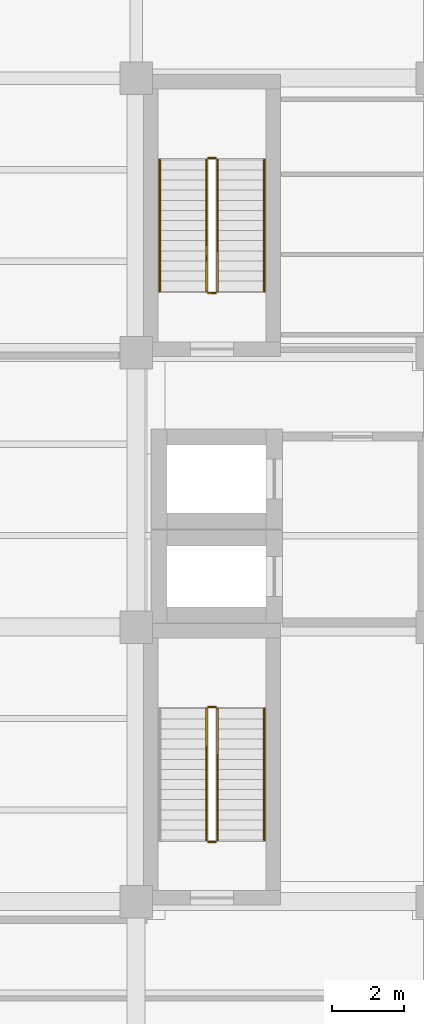
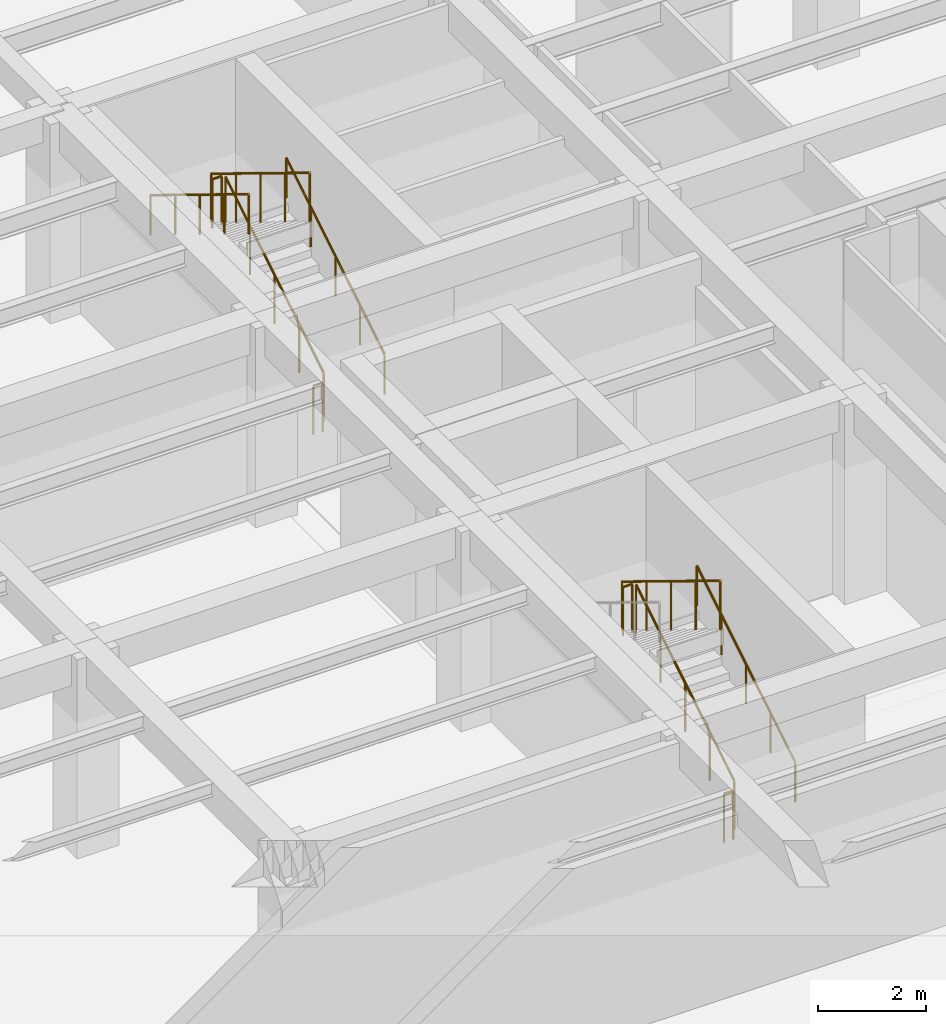
# One storey, part 47 of 49: 11 railings.
"""IFC4 building model written with IfcOpenShell, lengths in metres."""

from ifc_helpers import new_model, si_unit, direction, frame, origin, origin_2d, place, context, subcontext, project, spatial, circle, extrude, material, type_object, element, save


model = new_model("IFC4")

# Units and contexts
model_context = context("Model", 3, precision=1e-05, world=origin(), true_north=direction((0.0, 1.0)))
body_context = subcontext(model_context, "Body", "Model", "MODEL_VIEW")
ifc_project = project(units=[si_unit("LENGTHUNIT", "METRE"), si_unit("AREAUNIT", "SQUARE_METRE"), si_unit("VOLUMEUNIT", "CUBIC_METRE"), si_unit("PLANEANGLEUNIT", "RADIAN"), si_unit("MASSUNIT", "GRAM", prefix="KILO")], contexts=[model_context])

# Site, building, storey
site_placement = place(None, origin())
site = spatial("IfcSite", under=ifc_project, at=site_placement, CompositionType="ELEMENT")
building_placement = place(site_placement, origin())
building = spatial("IfcBuilding", under=site, at=building_placement, Name="Qandaris Square Conservatory and Botanical Centre", CompositionType="ELEMENT")
storey_placement = place(building_placement, frame((0.0, 0.0, 10.199951171875)))
storey = spatial("IfcBuildingStorey", under=building, at=storey_placement, Name="L02", CompositionType="ELEMENT", Elevation=10.199951171875)

# Railings
ifc_material = material(Name="Stainless Steel", Category="steel")
railing_type_1 = type_object("IfcRailingType", Name="Stair Tubular Handrail 920mm", PredefinedType="HANDRAIL", material=ifc_material)
railing_1_placement = place(storey_placement, frame((142.75, 25.89990234375, 0.343017578125)))
element("IfcRailing", 1, at=railing_1_placement, inside=storey, type_object=railing_type_1, Name="L02 ST-1 stair handrail 1", PredefinedType="HANDRAIL", context=body_context, shape_type="SweptSolid", body=[
    extrude(circle(Radius=0.02392578125, at=origin_2d()), frame((0.0, 0.0, 0.89599609375), z_axis=(0.0, 0.852865859571, 0.52213008492), x_axis=(-1.0, 0.0, 0.0)), (0.0, 0.0, 1.0), 4.26806640625),
    extrude(circle(Radius=0.02099609375, at=origin_2d()), origin(), (0.0, 0.0, 1.0), 0.871826171875),
    extrude(circle(Radius=0.02099609375, at=origin_2d()), frame((0.0, 0.91015625, 0.55712890625)), (0.0, 0.0, 1.0), 0.871826171875),
    extrude(circle(Radius=0.02099609375, at=origin_2d()), frame((0.0, 1.820068359375, 1.1142578125)), (0.0, 0.0, 1.0), 0.871826171875),
    extrude(circle(Radius=0.02099609375, at=origin_2d()), frame((0.0, 2.72998046875, 1.67138671875)), (0.0, 0.0, 1.0), 0.871826171875),
    extrude(circle(Radius=0.02099609375, at=origin_2d()), frame((0.0, 3.64013671875, 2.228515625)), (0.0, 0.0, 1.0), 0.871826171875),
])
railing_2_placement = place(storey_placement, frame((142.75, 41.10009765625, 0.343017578125)))
element("IfcRailing", 2, at=railing_2_placement, inside=storey, type_object=railing_type_1, Name="L02 ST-2 stair handrail 1", PredefinedType="HANDRAIL", context=body_context, shape_type="SweptSolid", body=[
    extrude(circle(Radius=0.02392578125, at=origin_2d()), frame((0.0, 0.0, 0.89599609375), z_axis=(0.0, 0.852850264322, 0.5221555579), x_axis=(-1.0, 0.0, 0.0)), (0.0, 0.0, 1.0), 4.267822265625),
    extrude(circle(Radius=0.02099609375, at=origin_2d()), origin(), (0.0, 0.0, 1.0), 0.871826171875),
    extrude(circle(Radius=0.02099609375, at=origin_2d()), frame((0.0, 0.909912109375, 0.55712890625)), (0.0, 0.0, 1.0), 0.871826171875),
    extrude(circle(Radius=0.02099609375, at=origin_2d()), frame((0.0, 1.81982421875, 1.1142578125)), (0.0, 0.0, 1.0), 0.871826171875),
    extrude(circle(Radius=0.02099609375, at=origin_2d()), frame((0.0, 2.72998046875, 1.67138671875)), (0.0, 0.0, 1.0), 0.871826171875),
    extrude(circle(Radius=0.02099609375, at=origin_2d()), frame((0.0, 3.639892578125, 2.228515625)), (0.0, 0.0, 1.0), 0.871826171875),
])
railing_3_placement = place(storey_placement, frame((139.85009765625, 44.739990234375, 2.742919921875)))
element("IfcRailing", 3, at=railing_3_placement, inside=storey, type_object=railing_type_1, Name="L02 ST-2 stair handrail 2", PredefinedType="HANDRAIL", context=body_context, shape_type="SweptSolid", body=[
    extrude(circle(Radius=0.02392578125, at=origin_2d()), frame((0.0, 0.0, 0.89599609375), z_axis=(0.0, -0.852850264322, 0.5221555579), x_axis=(1.0, 0.0, 0.0)), (0.0, 0.0, 1.0), 4.267822265625),
    extrude(circle(Radius=0.02099609375, at=origin_2d()), origin(), (0.0, 0.0, 1.0), 0.871826171875),
    extrude(circle(Radius=0.02099609375, at=origin_2d()), frame((0.0, -0.909912109375, 0.55712890625)), (0.0, 0.0, 1.0), 0.871826171875),
    extrude(circle(Radius=0.02099609375, at=origin_2d()), frame((0.0, -1.81982421875, 1.1142578125)), (0.0, 0.0, 1.0), 0.871826171875),
    extrude(circle(Radius=0.02099609375, at=origin_2d()), frame((0.0, -2.72998046875, 1.67138671875)), (0.0, 0.0, 1.0), 0.871826171875),
    extrude(circle(Radius=0.02099609375, at=origin_2d()), frame((0.0, -3.639892578125, 2.228515625)), (0.0, 0.0, 1.0), 0.871826171875),
])
railing_type_2 = type_object("IfcRailingType", Name="Stairwell & Atrium Guardrail 1120mm", PredefinedType="GUARDRAIL", material=ifc_material)
railing_4_placement = place(storey_placement, frame((141.449951171875, 25.89990234375, 0.17138671875)))
element("IfcRailing", 4, at=railing_4_placement, inside=storey, type_object=railing_type_2, Name="L02 ST-1 stair guard 1", PredefinedType="GUARDRAIL", context=body_context, shape_type="SweptSolid", body=[
    extrude(circle(Radius=0.02392578125, at=origin_2d()), frame((0.0, 0.0, 1.09619140625), z_axis=(0.0, 0.852840387347, 0.522171689878), x_axis=(-1.0, 0.0, 0.0)), (0.0, 0.0, 1.0), 4.268310546875),
    extrude(circle(Radius=0.02099609375, at=origin_2d()), origin(), (0.0, 0.0, 1.0), 1.072021484375),
    extrude(circle(Radius=0.02099609375, at=origin_2d()), frame((0.0, 0.91015625, 0.55712890625)), (0.0, 0.0, 1.0), 1.072021484375),
    extrude(circle(Radius=0.02099609375, at=origin_2d()), frame((0.0, 1.820068359375, 1.1142578125)), (0.0, 0.0, 1.0), 1.072021484375),
    extrude(circle(Radius=0.02099609375, at=origin_2d()), frame((0.0, 2.72998046875, 1.671630859375)), (0.0, 0.0, 1.0), 1.072021484375),
    extrude(circle(Radius=0.02099609375, at=origin_2d()), frame((0.0, 3.64013671875, 2.228759765625)), (0.0, 0.0, 1.0), 1.072021484375),
])
railing_5_placement = place(storey_placement, frame((141.39990234375, 29.590087890625, 2.400146484375)))
element("IfcRailing", 5, at=railing_5_placement, inside=storey, type_object=railing_type_2, Name="L02 ST-1 stair guard 2", PredefinedType="GUARDRAIL", context=body_context, shape_type="SweptSolid", body=[
    extrude(circle(Radius=0.02392578125, at=origin_2d()), frame((0.0, 0.0, 1.09619140625), z_axis=(-1.0, 0.0, 0.0), x_axis=(0.0, -1.0, 0.0)), (0.0, 0.0, 1.0), 0.199951171875),
    extrude(circle(Radius=0.02099609375, at=origin_2d()), origin(), (0.0, 0.0, 1.0), 1.072021484375),
    extrude(circle(Radius=0.02099609375, at=origin_2d()), frame((-0.199951171875, 0.0, 0.0)), (0.0, 0.0, 1.0), 1.072021484375),
])
railing_6_placement = place(storey_placement, frame((141.14990234375, 29.5400390625, 2.571533203125)))
element("IfcRailing", 6, at=railing_6_placement, inside=storey, type_object=railing_type_2, Name="L02 ST-1 stair guard 3", PredefinedType="GUARDRAIL", context=body_context, shape_type="SweptSolid", body=[
    extrude(circle(Radius=0.02392578125, at=origin_2d()), frame((0.0, 0.0, 1.09619140625), z_axis=(0.0, -0.852865859571, 0.52213008492), x_axis=(1.0, 0.0, 0.0)), (0.0, 0.0, 1.0), 4.26806640625),
    extrude(circle(Radius=0.02099609375, at=origin_2d()), origin(), (0.0, 0.0, 1.0), 1.072021484375),
    extrude(circle(Radius=0.02099609375, at=origin_2d()), frame((0.0, -0.91015625, 0.55712890625)), (0.0, 0.0, 1.0), 1.072021484375),
    extrude(circle(Radius=0.02099609375, at=origin_2d()), frame((0.0, -1.820068359375, 1.1142578125)), (0.0, 0.0, 1.0), 1.072021484375),
    extrude(circle(Radius=0.02099609375, at=origin_2d()), frame((0.0, -2.72998046875, 1.67138671875)), (0.0, 0.0, 1.0), 1.072021484375),
    extrude(circle(Radius=0.02099609375, at=origin_2d()), frame((0.0, -3.64013671875, 2.228515625)), (0.0, 0.0, 1.0), 1.072021484375),
])
railing_7_placement = place(storey_placement, frame((141.39990234375, 25.85009765625, 0.0)))
element("IfcRailing", 7, at=railing_7_placement, inside=storey, type_object=railing_type_2, Name="L02 ST-1 stair guard 4", PredefinedType="GUARDRAIL", context=body_context, shape_type="SweptSolid", body=[
    extrude(circle(Radius=0.02392578125, at=origin_2d()), frame((0.0, 0.0, 1.09619140625), z_axis=(-1.0, 0.0, 0.0), x_axis=(0.0, -1.0, 0.0)), (0.0, 0.0, 1.0), 0.199951171875),
    extrude(circle(Radius=0.02099609375, at=origin_2d()), origin(), (0.0, 0.0, 1.0), 1.072021484375),
    extrude(circle(Radius=0.02099609375, at=origin_2d()), frame((-0.199951171875, 0.0, 0.0)), (0.0, 0.0, 1.0), 1.072021484375),
])
railing_8_placement = place(storey_placement, frame((141.449951171875, 41.10009765625, 0.17138671875)))
element("IfcRailing", 8, at=railing_8_placement, inside=storey, type_object=railing_type_2, Name="L02 ST-2 stair guard 1", PredefinedType="GUARDRAIL", context=body_context, shape_type="SweptSolid", body=[
    extrude(circle(Radius=0.02392578125, at=origin_2d()), frame((0.0, 0.0, 1.09619140625), z_axis=(0.0, 0.852824790078, 0.522197163366), x_axis=(-1.0, 0.0, 0.0)), (0.0, 0.0, 1.0), 4.26806640625),
    extrude(circle(Radius=0.02099609375, at=origin_2d()), origin(), (0.0, 0.0, 1.0), 1.072021484375),
    extrude(circle(Radius=0.02099609375, at=origin_2d()), frame((0.0, 0.909912109375, 0.55712890625)), (0.0, 0.0, 1.0), 1.072021484375),
    extrude(circle(Radius=0.02099609375, at=origin_2d()), frame((0.0, 1.81982421875, 1.1142578125)), (0.0, 0.0, 1.0), 1.072021484375),
    extrude(circle(Radius=0.02099609375, at=origin_2d()), frame((0.0, 2.72998046875, 1.671630859375)), (0.0, 0.0, 1.0), 1.072021484375),
    extrude(circle(Radius=0.02099609375, at=origin_2d()), frame((0.0, 3.639892578125, 2.228759765625)), (0.0, 0.0, 1.0), 1.072021484375),
])
railing_9_placement = place(storey_placement, frame((141.39990234375, 44.7900390625, 2.400146484375)))
element("IfcRailing", 9, at=railing_9_placement, inside=storey, type_object=railing_type_2, Name="L02 ST-2 stair guard 2", PredefinedType="GUARDRAIL", context=body_context, shape_type="SweptSolid", body=[
    extrude(circle(Radius=0.02392578125, at=origin_2d()), frame((0.0, 0.0, 1.09619140625), z_axis=(-1.0, 0.0, 0.0), x_axis=(0.0, -1.0, 0.0)), (0.0, 0.0, 1.0), 0.199951171875),
    extrude(circle(Radius=0.02099609375, at=origin_2d()), origin(), (0.0, 0.0, 1.0), 1.072021484375),
    extrude(circle(Radius=0.02099609375, at=origin_2d()), frame((-0.199951171875, 0.0, 0.0)), (0.0, 0.0, 1.0), 1.072021484375),
])
railing_10_placement = place(storey_placement, frame((141.14990234375, 44.739990234375, 2.571533203125)))
element("IfcRailing", 10, at=railing_10_placement, inside=storey, type_object=railing_type_2, Name="L02 ST-2 stair guard 3", PredefinedType="GUARDRAIL", context=body_context, shape_type="SweptSolid", body=[
    extrude(circle(Radius=0.02392578125, at=origin_2d()), frame((0.0, 0.0, 1.09619140625), z_axis=(0.0, -0.852850264322, 0.5221555579), x_axis=(1.0, 0.0, 0.0)), (0.0, 0.0, 1.0), 4.267822265625),
    extrude(circle(Radius=0.02099609375, at=origin_2d()), origin(), (0.0, 0.0, 1.0), 1.072021484375),
    extrude(circle(Radius=0.02099609375, at=origin_2d()), frame((0.0, -0.909912109375, 0.55712890625)), (0.0, 0.0, 1.0), 1.072021484375),
    extrude(circle(Radius=0.02099609375, at=origin_2d()), frame((0.0, -1.81982421875, 1.1142578125)), (0.0, 0.0, 1.0), 1.072021484375),
    extrude(circle(Radius=0.02099609375, at=origin_2d()), frame((0.0, -2.72998046875, 1.67138671875)), (0.0, 0.0, 1.0), 1.072021484375),
    extrude(circle(Radius=0.02099609375, at=origin_2d()), frame((0.0, -3.639892578125, 2.228515625)), (0.0, 0.0, 1.0), 1.072021484375),
])
railing_11_placement = place(storey_placement, frame((141.39990234375, 41.050048828125, 0.0)))
element("IfcRailing", 11, at=railing_11_placement, inside=storey, type_object=railing_type_2, Name="L02 ST-2 stair guard 4", PredefinedType="GUARDRAIL", context=body_context, shape_type="SweptSolid", body=[
    extrude(circle(Radius=0.02392578125, at=origin_2d()), frame((0.0, 0.0, 1.09619140625), z_axis=(-1.0, 0.0, 0.0), x_axis=(0.0, -1.0, 0.0)), (0.0, 0.0, 1.0), 0.199951171875),
    extrude(circle(Radius=0.02099609375, at=origin_2d()), origin(), (0.0, 0.0, 1.0), 1.072021484375),
    extrude(circle(Radius=0.02099609375, at=origin_2d()), frame((-0.199951171875, 0.0, 0.0)), (0.0, 0.0, 1.0), 1.072021484375),
])

save(model, "model.ifc")
